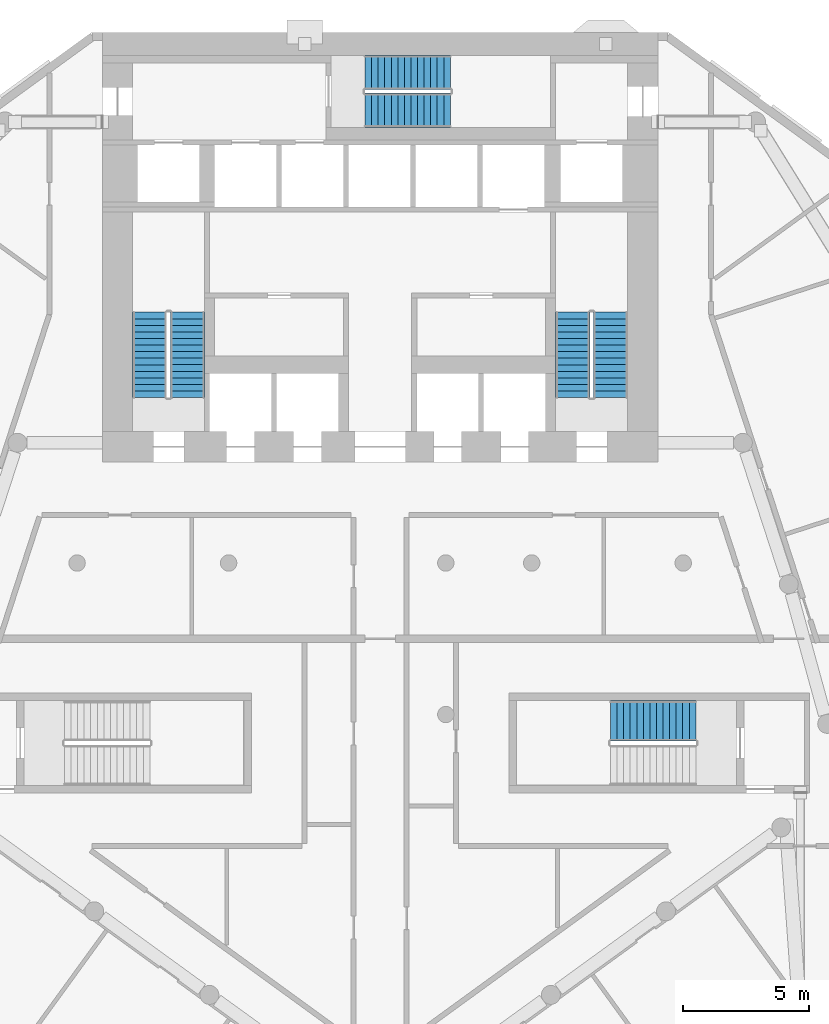
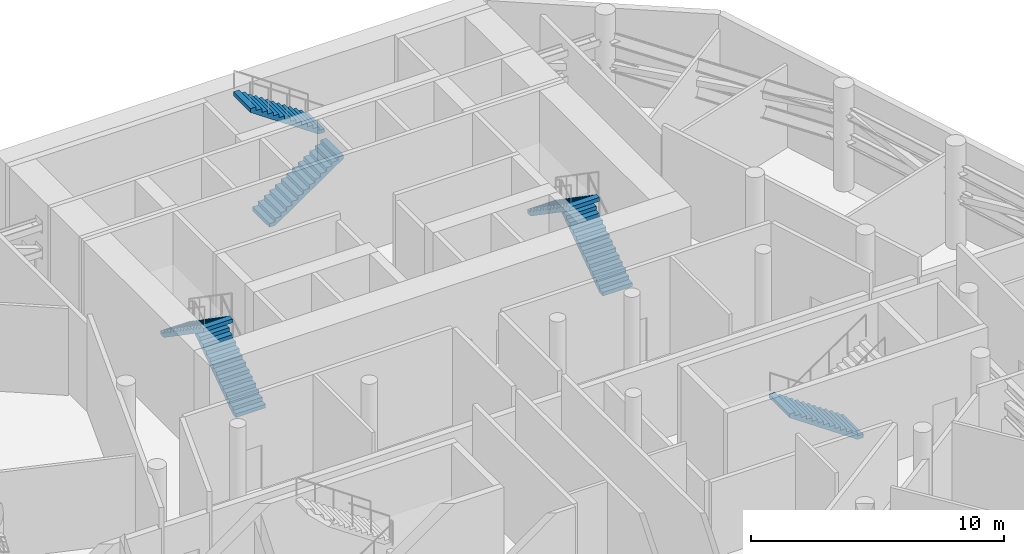
# One storey, part 10 of 15: 7 stair flights, 4 elements without a shape of their own.
"""IFC4 building model written with IfcOpenShell, lengths in metres."""

from ifc_helpers import new_model, si_unit, direction, frame, origin, place, context, subcontext, project, spatial, polyline, outline, extrude, material, layer, layer_set, type_object, element, aggregate, save


model = new_model("IFC4")

# Units and contexts
model_context = context("Model", 3, precision=1e-05, world=origin(), true_north=direction((0.0, 1.0)))
body_context = subcontext(model_context, "Body", "Model", "MODEL_VIEW")
ifc_project = project(units=[si_unit("LENGTHUNIT", "METRE"), si_unit("AREAUNIT", "SQUARE_METRE"), si_unit("VOLUMEUNIT", "CUBIC_METRE"), si_unit("PLANEANGLEUNIT", "RADIAN"), si_unit("MASSUNIT", "GRAM", prefix="KILO")], contexts=[model_context])

# Site, building, storey
site_placement = place(None, origin())
site = spatial("IfcSite", under=ifc_project, at=site_placement, CompositionType="ELEMENT")
building_placement = place(site_placement, origin())
building = spatial("IfcBuilding", under=site, at=building_placement, Name="White Candle Pilgrim Tower", CompositionType="ELEMENT")
storey_placement = place(building_placement, frame((0.0, 0.0, 85.800048828125)))
storey = spatial("IfcBuildingStorey", under=building, at=storey_placement, Name="L18", CompositionType="ELEMENT", Elevation=85.800048828125)

# Stair, stair flights
ifc_material = material(Name="Concrete C40/50", Category="concrete")
stair_type_1 = type_object("IfcStairType", Name="Exit stair 1 flight width 1350 mm", PredefinedType="HALF_TURN_STAIR", material=ifc_material)
stair_1_placement = place(storey_placement, origin())
stair_1 = element("IfcStair", 1, at=stair_1_placement, inside=storey, type_object=stair_type_1, Name="L18 stair 1", PredefinedType="NOTDEFINED")
ifc_layer = layer(ifc_material, 0.14990234375)
ifc_layer_set = layer_set([ifc_layer], Name="Stair flight Concrete C40/50")
stair_flight_type = type_object("IfcStairFlightType", Name="Stair flight Concrete C40/50", PredefinedType="STRAIGHT", material=ifc_layer_set)
stair_flight_1_placement = place(storey_placement, frame((62.375, 73.550048828125, 0.0), z_axis=(0.0, 0.0, 1.0), x_axis=(0.0, 1.0, 0.0)))
stair_flight_1 = element("IfcStairFlight", 2, at=stair_flight_1_placement, type_object=stair_flight_type, Name="ST1 flight 1", NumberOfRisers=14, NumberOfTreads=13, PredefinedType="NOTDEFINED", RiserHeight=0.178571429, TreadLength=0.26, context=body_context, shape_type="SweptSolid", body=[
    extrude(outline(polyline([(0.0, 0.0), (0.0, 0.178466796875), (0.260009765625, 0.178466796875), (0.260009765625, 0.357177734375), (0.52001953125, 0.357177734375), (0.52001953125, 0.53564453125), (0.780029296875, 0.53564453125), (0.780029296875, 0.71435546875), (1.0400390625, 0.71435546875), (1.0400390625, 0.892822265625), (1.300048828125, 0.892822265625), (1.300048828125, 1.071533203125), (1.56005859375, 1.071533203125), (1.56005859375, 1.25), (1.820068359375, 1.25), (1.820068359375, 1.428466796875), (2.080078125, 1.428466796875), (2.080078125, 1.607177734375), (2.340087890625, 1.607177734375), (2.340087890625, 1.78564453125), (2.60009765625, 1.78564453125), (2.60009765625, 1.96435546875), (2.860107421875, 1.96435546875), (2.860107421875, 2.142822265625), (3.1201171875, 2.142822265625), (3.1201171875, 2.321533203125), (3.3798828125, 2.321533203125), (3.3798828125, 2.5), (3.3798828125, 2.1396484375), (0.264892578125, 0.0), (0.0, 0.0)])), frame((0.0, 0.675048828125, 0.0), z_axis=(0.0, -1.0, 0.0), x_axis=(1.0, 0.0, 0.0)), (0.0, 0.0, 1.0), 1.35009765625),
])
stair_flight_2_placement = place(storey_placement, frame((60.875, 76.929931640625, 2.5), z_axis=(0.0, 0.0, 1.0), x_axis=(0.0, -1.0, 0.0)))
stair_flight_2 = element("IfcStairFlight", 3, at=stair_flight_2_placement, type_object=stair_flight_type, Name="ST1 flight 2", NumberOfRisers=14, NumberOfTreads=13, PredefinedType="NOTDEFINED", RiserHeight=0.178571429, TreadLength=0.26, context=body_context, shape_type="SweptSolid", body=[
    extrude(outline(polyline([(0.0, 0.0), (0.0, 0.178466796875), (0.260009765625, 0.178466796875), (0.260009765625, 0.357177734375), (0.52001953125, 0.357177734375), (0.52001953125, 0.53564453125), (0.780029296875, 0.53564453125), (0.780029296875, 0.71435546875), (1.0400390625, 0.71435546875), (1.0400390625, 0.892822265625), (1.300048828125, 0.892822265625), (1.300048828125, 1.071533203125), (1.56005859375, 1.071533203125), (1.56005859375, 1.25), (1.820068359375, 1.25), (1.820068359375, 1.428466796875), (2.080078125, 1.428466796875), (2.080078125, 1.607177734375), (2.340087890625, 1.607177734375), (2.340087890625, 1.78564453125), (2.60009765625, 1.78564453125), (2.60009765625, 1.96435546875), (2.860107421875, 1.96435546875), (2.860107421875, 2.142822265625), (3.1201171875, 2.142822265625), (3.1201171875, 2.321533203125), (3.3798828125, 2.321533203125), (3.3798828125, 2.5), (3.3798828125, 2.1396484375), (0.264892578125, 0.0), (0.0, 0.0)])), frame((0.0, 0.675048828125, 0.0), z_axis=(0.0, -1.0, 0.0), x_axis=(1.0, 0.0, 0.0)), (0.0, 0.0, 1.0), 1.35009765625),
])
aggregate(stair_1, [stair_flight_1, stair_flight_2])

stair_type_2 = type_object("IfcStairType", Name="Exit stair 2 flight width 1350 mm", PredefinedType="HALF_TURN_STAIR", material=ifc_material)
stair_2_placement = place(storey_placement, origin())
stair_2 = element("IfcStair", 4, at=stair_2_placement, inside=storey, type_object=stair_type_2, Name="L18 stair 2", PredefinedType="NOTDEFINED")
stair_flight_3_placement = place(storey_placement, frame((79.125, 73.550048828125, 0.0), z_axis=(0.0, 0.0, 1.0), x_axis=(0.0, 1.0, 0.0)))
stair_flight_3 = element("IfcStairFlight", 5, at=stair_flight_3_placement, type_object=stair_flight_type, Name="ST2 flight 1", NumberOfRisers=14, NumberOfTreads=13, PredefinedType="NOTDEFINED", RiserHeight=0.178571429, TreadLength=0.26, context=body_context, shape_type="SweptSolid", body=[
    extrude(outline(polyline([(0.0, 0.0), (0.0, 0.178466796875), (0.260009765625, 0.178466796875), (0.260009765625, 0.357177734375), (0.52001953125, 0.357177734375), (0.52001953125, 0.53564453125), (0.780029296875, 0.53564453125), (0.780029296875, 0.71435546875), (1.0400390625, 0.71435546875), (1.0400390625, 0.892822265625), (1.300048828125, 0.892822265625), (1.300048828125, 1.071533203125), (1.56005859375, 1.071533203125), (1.56005859375, 1.25), (1.820068359375, 1.25), (1.820068359375, 1.428466796875), (2.080078125, 1.428466796875), (2.080078125, 1.607177734375), (2.340087890625, 1.607177734375), (2.340087890625, 1.78564453125), (2.60009765625, 1.78564453125), (2.60009765625, 1.96435546875), (2.860107421875, 1.96435546875), (2.860107421875, 2.142822265625), (3.1201171875, 2.142822265625), (3.1201171875, 2.321533203125), (3.3798828125, 2.321533203125), (3.3798828125, 2.5), (3.3798828125, 2.1396484375), (0.264892578125, 0.0), (0.0, 0.0)])), frame((0.0, 0.675048828125, 0.0), z_axis=(0.0, -1.0, 0.0), x_axis=(1.0, 0.0, 0.0)), (0.0, 0.0, 1.0), 1.35009765625),
])
stair_flight_4_placement = place(storey_placement, frame((77.625, 76.929931640625, 2.5), z_axis=(0.0, 0.0, 1.0), x_axis=(0.0, -1.0, 0.0)))
stair_flight_4 = element("IfcStairFlight", 6, at=stair_flight_4_placement, type_object=stair_flight_type, Name="ST2 flight 2", NumberOfRisers=14, NumberOfTreads=13, PredefinedType="NOTDEFINED", RiserHeight=0.178571429, TreadLength=0.26, context=body_context, shape_type="SweptSolid", body=[
    extrude(outline(polyline([(0.0, 0.0), (0.0, 0.178466796875), (0.260009765625, 0.178466796875), (0.260009765625, 0.357177734375), (0.52001953125, 0.357177734375), (0.52001953125, 0.53564453125), (0.780029296875, 0.53564453125), (0.780029296875, 0.71435546875), (1.0400390625, 0.71435546875), (1.0400390625, 0.892822265625), (1.300048828125, 0.892822265625), (1.300048828125, 1.071533203125), (1.56005859375, 1.071533203125), (1.56005859375, 1.25), (1.820068359375, 1.25), (1.820068359375, 1.428466796875), (2.080078125, 1.428466796875), (2.080078125, 1.607177734375), (2.340087890625, 1.607177734375), (2.340087890625, 1.78564453125), (2.60009765625, 1.78564453125), (2.60009765625, 1.96435546875), (2.860107421875, 1.96435546875), (2.860107421875, 2.142822265625), (3.1201171875, 2.142822265625), (3.1201171875, 2.321533203125), (3.3798828125, 2.321533203125), (3.3798828125, 2.5), (3.3798828125, 2.1396484375), (0.264892578125, 0.0), (0.0, 0.0)])), frame((0.0, 0.675048828125, 0.0), z_axis=(0.0, -1.0, 0.0), x_axis=(1.0, 0.0, 0.0)), (0.0, 0.0, 1.0), 1.35009765625),
])
aggregate(stair_2, [stair_flight_3, stair_flight_4])

stair_type_3 = type_object("IfcStairType", Name="Exit stair 3 flight width 1350 mm", PredefinedType="HALF_TURN_STAIR", material=ifc_material)
stair_3_placement = place(storey_placement, origin())
stair_3 = element("IfcStair", 7, at=stair_3_placement, inside=storey, type_object=stair_type_3, Name="L18 stair 3", PredefinedType="NOTDEFINED")
stair_flight_5_placement = place(storey_placement, frame((69.39990234375, 84.925048828125, 0.0), z_axis=(0.0, 0.0, 1.0), x_axis=(1.0, 0.0, 0.0)))
stair_flight_5 = element("IfcStairFlight", 8, at=stair_flight_5_placement, type_object=stair_flight_type, Name="ST3 flight 1", NumberOfRisers=14, NumberOfTreads=13, PredefinedType="NOTDEFINED", RiserHeight=0.178571429, TreadLength=0.26, context=body_context, shape_type="SweptSolid", body=[
    extrude(outline(polyline([(0.0, 0.0), (0.0, 0.178466796875), (0.260009765625, 0.178466796875), (0.260009765625, 0.357177734375), (0.52001953125, 0.357177734375), (0.52001953125, 0.53564453125), (0.780029296875, 0.53564453125), (0.780029296875, 0.71435546875), (1.0400390625, 0.71435546875), (1.0400390625, 0.892822265625), (1.300048828125, 0.892822265625), (1.300048828125, 1.071533203125), (1.56005859375, 1.071533203125), (1.56005859375, 1.25), (1.820068359375, 1.25), (1.820068359375, 1.428466796875), (2.080078125, 1.428466796875), (2.080078125, 1.607177734375), (2.340087890625, 1.607177734375), (2.340087890625, 1.78564453125), (2.60009765625, 1.78564453125), (2.60009765625, 1.96435546875), (2.860107421875, 1.96435546875), (2.860107421875, 2.142822265625), (3.1201171875, 2.142822265625), (3.1201171875, 2.321533203125), (3.3798828125, 2.321533203125), (3.3798828125, 2.5), (3.3798828125, 2.1396484375), (0.264892578125, 0.0), (0.0, 0.0)])), frame((0.0, 0.675048828125, 0.0), z_axis=(0.0, -1.0, 0.0), x_axis=(1.0, 0.0, 0.0)), (0.0, 0.0, 1.0), 1.35009765625),
])
stair_flight_6_placement = place(storey_placement, frame((72.780029296875, 86.425048828125, 2.5), z_axis=(0.0, 0.0, 1.0), x_axis=(-1.0, 0.0, 0.0)))
stair_flight_6 = element("IfcStairFlight", 9, at=stair_flight_6_placement, type_object=stair_flight_type, Name="ST3 flight 2", NumberOfRisers=14, NumberOfTreads=13, PredefinedType="NOTDEFINED", RiserHeight=0.178571429, TreadLength=0.26, context=body_context, shape_type="SweptSolid", body=[
    extrude(outline(polyline([(0.0, 0.0), (0.0, 0.178466796875), (0.260009765625, 0.178466796875), (0.260009765625, 0.357177734375), (0.52001953125, 0.357177734375), (0.52001953125, 0.53564453125), (0.780029296875, 0.53564453125), (0.780029296875, 0.71435546875), (1.0400390625, 0.71435546875), (1.0400390625, 0.892822265625), (1.300048828125, 0.892822265625), (1.300048828125, 1.071533203125), (1.56005859375, 1.071533203125), (1.56005859375, 1.25), (1.820068359375, 1.25), (1.820068359375, 1.428466796875), (2.080078125, 1.428466796875), (2.080078125, 1.607177734375), (2.340087890625, 1.607177734375), (2.340087890625, 1.78564453125), (2.60009765625, 1.78564453125), (2.60009765625, 1.96435546875), (2.860107421875, 1.96435546875), (2.860107421875, 2.142822265625), (3.1201171875, 2.142822265625), (3.1201171875, 2.321533203125), (3.3798828125, 2.321533203125), (3.3798828125, 2.5), (3.3798828125, 2.1396484375), (0.264892578125, 0.0), (0.0, 0.0)])), frame((0.0, 0.675048828125, 0.0), z_axis=(0.0, -1.0, 0.0), x_axis=(1.0, 0.0, 0.0)), (0.0, 0.0, 1.0), 1.35009765625),
])
aggregate(stair_3, [stair_flight_5, stair_flight_6])

# Stair, stair flight
stair_type_4 = type_object("IfcStairType", Name="Exit stair 4 flight width 1600 mm", PredefinedType="HALF_TURN_STAIR", material=ifc_material)
stair_4_placement = place(storey_placement, origin())
stair_4 = element("IfcStair", 10, at=stair_4_placement, inside=storey, type_object=stair_type_4, Name="L18 stair 4", PredefinedType="NOTDEFINED")
stair_flight_7_placement = place(storey_placement, frame((82.5, 60.75, 0.0), z_axis=(0.0, 0.0, 1.0), x_axis=(-1.0, 0.0, 0.0)))
stair_flight_7 = element("IfcStairFlight", 11, at=stair_flight_7_placement, type_object=stair_flight_type, Name="ST4 flight 1", NumberOfRisers=14, NumberOfTreads=13, PredefinedType="NOTDEFINED", RiserHeight=0.178571429, TreadLength=0.26, context=body_context, shape_type="SweptSolid", body=[
    extrude(outline(polyline([(0.0, 0.0), (0.0, 0.178466796875), (0.260009765625, 0.178466796875), (0.260009765625, 0.357177734375), (0.52001953125, 0.357177734375), (0.52001953125, 0.53564453125), (0.780029296875, 0.53564453125), (0.780029296875, 0.71435546875), (1.0400390625, 0.71435546875), (1.0400390625, 0.892822265625), (1.300048828125, 0.892822265625), (1.300048828125, 1.071533203125), (1.56005859375, 1.071533203125), (1.56005859375, 1.25), (1.820068359375, 1.25), (1.820068359375, 1.428466796875), (2.080078125, 1.428466796875), (2.080078125, 1.607177734375), (2.340087890625, 1.607177734375), (2.340087890625, 1.78564453125), (2.60009765625, 1.78564453125), (2.60009765625, 1.96435546875), (2.860107421875, 1.96435546875), (2.860107421875, 2.142822265625), (3.1201171875, 2.142822265625), (3.1201171875, 2.321533203125), (3.3798828125, 2.321533203125), (3.3798828125, 2.5), (3.3798828125, 2.1396484375), (0.264892578125, 0.0), (0.0, 0.0)])), frame((0.0, 0.800048828125, 0.0), z_axis=(0.0, -1.0, 0.0), x_axis=(1.0, 0.0, 0.0)), (0.0, 0.0, 1.0), 1.60009765625),
])
aggregate(stair_4, [stair_flight_7])

save(model, "model.ifc")
